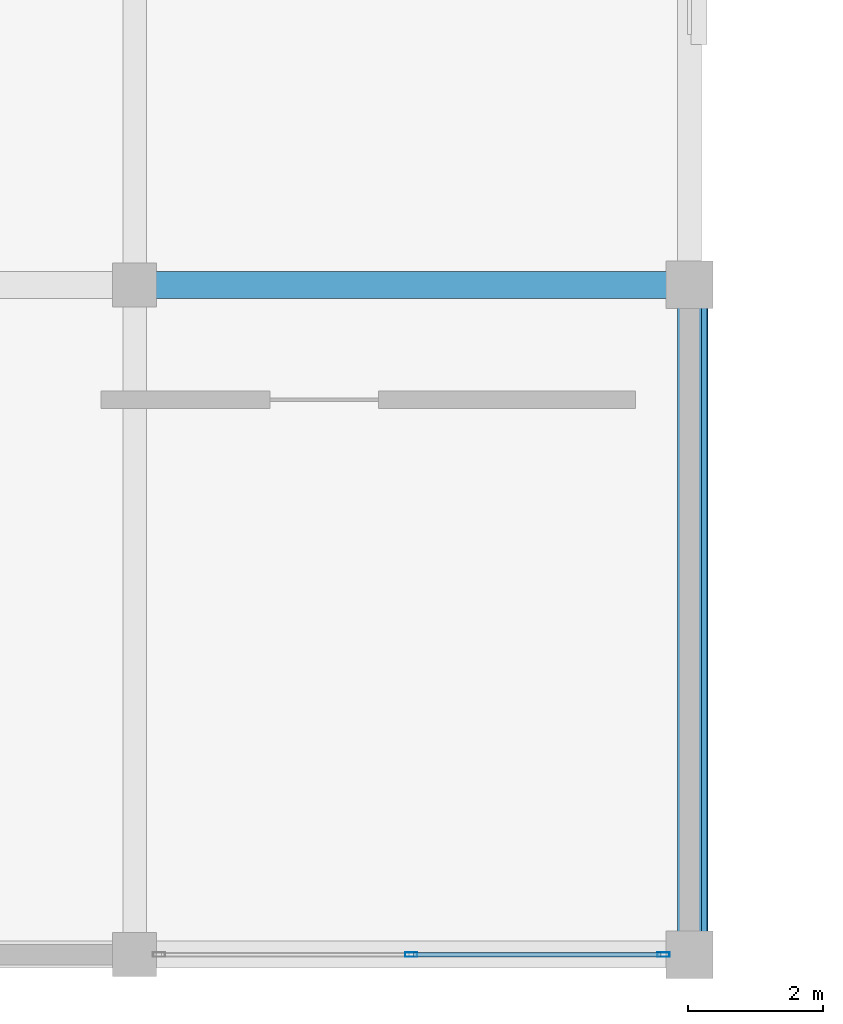
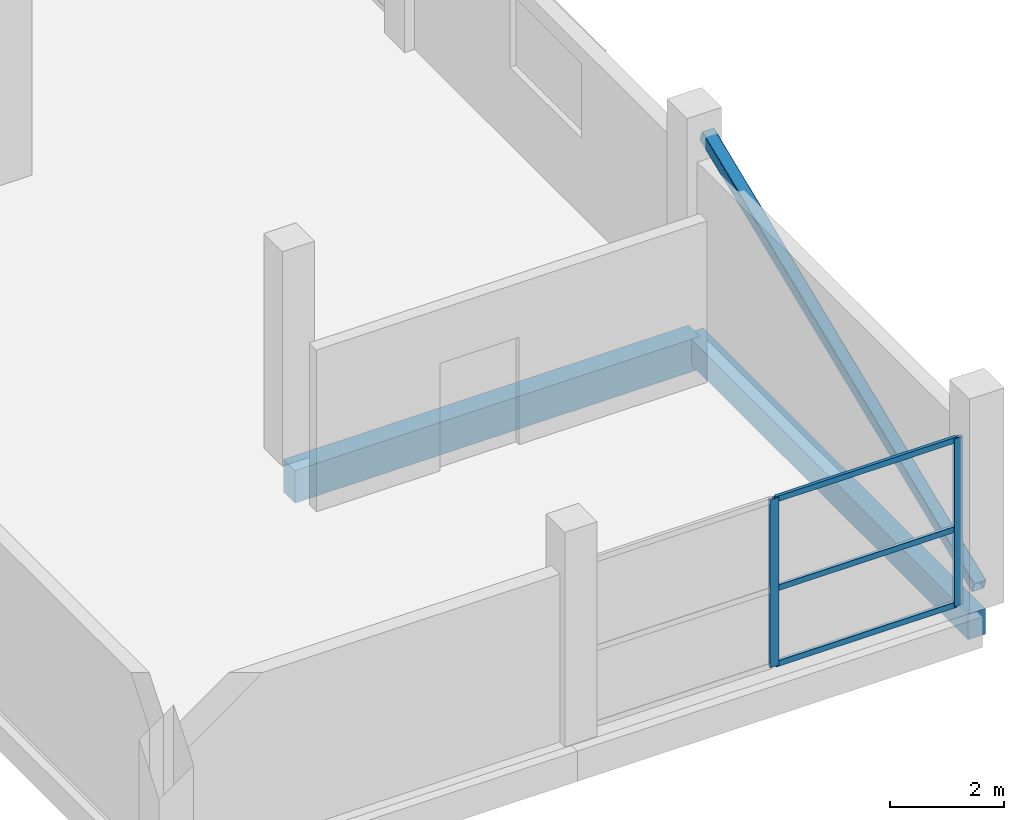
# One storey, part 14 of 69: 6 members, 2 beams, 1 element without a shape of its own.
"""IFC4 building model written with IfcOpenShell, lengths in metres."""

import ifcopenshell
import ifcopenshell.guid

model = None  # the IFC model being written
_history = None  # IfcOwnerHistory: only IFC2X3 demands one
_inside = {}  # id of a spatial element -> (the spatial element, [elements in it])
_under = {}  # id of a project, library or spatial element -> (it, [spatial elements below it])
_declared = {}  # id of a project -> (the project, [libraries it declares])
_typed = {}  # id of a type object -> (the type object, [elements of that type])
_made_of = {}  # id of a material, layer set ... -> (it, [elements and type objects made of it])


def new_model(schema):
    """Start an empty IFC model of exactly this schema.

    Asked for "IFC4X3", IfcOpenShell would pick the latest addendum, in which some entities
    have other attributes; the version numbers below select the first issue.
    IFC2X3 requires an IfcOwnerHistory on every rooted entity: one is made here for all.
    """
    global model, _history
    if schema == "IFC4X3":
        model = ifcopenshell.file(schema_version=(4, 3, 0, 0))
    else:
        model = ifcopenshell.file(schema=schema)
    _inside.clear()
    _under.clear()
    _declared.clear()
    _typed.clear()
    _made_of.clear()
    _history = None
    if model.schema == "IFC2X3":
        org = make("IfcOrganization", Name="unknown")
        user = make(
            "IfcPersonAndOrganization",
            ThePerson=make("IfcPerson", FamilyName="unknown"),
            TheOrganization=org,
        )
        app = make(
            "IfcApplication",
            ApplicationDeveloper=org,
            Version="unknown",
            ApplicationFullName="unknown",
            ApplicationIdentifier="unknown",
        )
        _history = make(
            "IfcOwnerHistory",
            OwningUser=user,
            OwningApplication=app,
            ChangeAction="ADDED",
            CreationDate=0,
        )
    return model


def make(cls, **values):
    """One entity of the class cls with the attributes given. An attribute that is None is left unset."""
    return model.create_entity(
        cls, **{name: value for name, value in values.items() if value is not None}
    )


def rooted(cls, **values):
    """An entity with a GlobalId (a new one), such as an element, a storey or a relation."""
    return make(cls, GlobalId=ifcopenshell.guid.new(), OwnerHistory=_history, **values)


def si_unit(unit_type, name, prefix=None):
    """IfcSIUnit, for example si_unit("LENGTHUNIT", "METRE", prefix="MILLI")."""
    return make("IfcSIUnit", UnitType=unit_type, Prefix=prefix, Name=name)


def assignment(units):
    """IfcUnitAssignment: the units of a project."""
    return None if units is None else make("IfcUnitAssignment", Units=units)


def point(xyz):
    """IfcCartesianPoint."""
    return None if xyz is None else make("IfcCartesianPoint", Coordinates=xyz)


def direction(xyz):
    """IfcDirection."""
    return None if xyz is None else make("IfcDirection", DirectionRatios=xyz)


def frame(location, z_axis=None, x_axis=None):
    """IfcAxis2Placement3D, a coordinate frame: its origin and axes. An axis left out is left unset."""
    return make(
        "IfcAxis2Placement3D",
        Location=point(location),
        Axis=direction(z_axis),
        RefDirection=direction(x_axis),
    )


def frame_2d(location, x_axis=None):
    """IfcAxis2Placement2D, a coordinate frame in the plane: its origin and x axis."""
    return make(
        "IfcAxis2Placement2D", Location=point(location), RefDirection=direction(x_axis)
    )


def origin():
    """The frame at (0, 0, 0) with its axes left unset."""
    return frame((0.0, 0.0, 0.0))


def origin_2d():
    """The frame at (0, 0) in the plane with its x axis left unset."""
    return frame_2d((0.0, 0.0))


def place(relative_to, where):
    """IfcLocalPlacement: puts the frame where relative to a parent placement (None: the world)."""
    return make(
        "IfcLocalPlacement", PlacementRelTo=relative_to, RelativePlacement=where
    )


def context(
    kind, dimensions, precision=None, world=None, true_north=None, identifier=None
):
    """IfcGeometricRepresentationContext, for example the 3D "Model" context."""
    return make(
        "IfcGeometricRepresentationContext",
        ContextIdentifier=identifier,
        ContextType=kind,
        CoordinateSpaceDimension=dimensions,
        Precision=precision,
        WorldCoordinateSystem=world,
        TrueNorth=true_north,
    )


def subcontext(parent, identifier, kind, view, scale=None):
    """IfcGeometricRepresentationSubContext, for example "Body" below "Model"."""
    return make(
        "IfcGeometricRepresentationSubContext",
        ContextIdentifier=identifier,
        ContextType=kind,
        ParentContext=parent,
        TargetScale=scale,
        TargetView=view,
    )


def project(units=None, contexts=None):
    """IfcProject with its units and contexts."""
    return rooted(
        "IfcProject",
        Name="project",
        RepresentationContexts=contexts,
        UnitsInContext=assignment(units),
    )


def spatial(cls, under=None, at=None, **own):
    """A site, building, storey or space (cls), placed at a placement, below another one or the project."""
    s = rooted(cls, ObjectPlacement=at, **own)
    if under is not None:
        _under.setdefault(under.id(), (under, []))[1].append(s)
    return s


def profile(cls, at=None, kind="AREA", **sizes):
    """A parametric profile (cls). Its sizes go by their IFC names, for example OverallWidth=200.0."""
    return make(cls, ProfileType=kind, Position=at, **sizes)


def rectangle(**sizes):
    """IfcRectangleProfileDef."""
    return profile("IfcRectangleProfileDef", **sizes)


def hollow_rectangle(**sizes):
    """IfcRectangleHollowProfileDef."""
    return profile("IfcRectangleHollowProfileDef", **sizes)


def extrude(swept, where, along, depth):
    """IfcExtrudedAreaSolid: the profile swept, set in the frame where, extruded along a direction by depth."""
    return make(
        "IfcExtrudedAreaSolid",
        SweptArea=swept,
        Position=where,
        ExtrudedDirection=direction(along),
        Depth=depth,
    )


def shape(context_of_items, identifier, shape_type, items):
    """IfcShapeRepresentation: the items that make up one representation, for example the "Body"."""
    return make(
        "IfcShapeRepresentation",
        ContextOfItems=context_of_items,
        RepresentationIdentifier=identifier,
        RepresentationType=shape_type,
        Items=items,
    )


def material(Name=None, Category=None):
    """IfcMaterial."""
    return make("IfcMaterial", Name=Name, Category=Category)


def layer(
    of_material, thickness, ventilated=None, Name=None, Category=None, Priority=None
):
    """IfcMaterialLayer: one layer of a wall or slab, of a material (None: an air gap)."""
    return make(
        "IfcMaterialLayer",
        Material=of_material,
        LayerThickness=thickness,
        IsVentilated=ventilated,
        Name=Name,
        Category=Category,
        Priority=Priority,
    )


def layer_set(layers, Name=None):
    """IfcMaterialLayerSet."""
    return make("IfcMaterialLayerSet", MaterialLayers=layers, LayerSetName=Name)


def material_profile(
    of_material, cross_section, Name=None, Category=None, Priority=None
):
    """IfcMaterialProfile: a cross section and its material."""
    return make(
        "IfcMaterialProfile",
        Name=Name,
        Material=of_material,
        Profile=cross_section,
        Priority=Priority,
        Category=Category,
    )


def profile_set(profiles, Name=None, composite=None):
    """IfcMaterialProfileSet."""
    return make(
        "IfcMaterialProfileSet",
        Name=Name,
        MaterialProfiles=profiles,
        CompositeProfile=composite,
    )


def made_of(thing, what):
    """Note that an element or type object is made of a material, layer set ...; save() writes the relation."""
    if what is not None:
        _made_of.setdefault(what.id(), (what, []))[1].append(thing)
    return thing


def type_object(cls, material=None, **own):
    """A type object (cls), such as IfcWallType, which elements share."""
    return made_of(rooted(cls, **own), material)


def element(
    cls,
    number,
    at=None,
    inside=None,
    cuts=None,
    type_object=None,
    material=None,
    context=None,
    identifier="Body",
    shape_type=None,
    held_by="IfcProductDefinitionShape",
    body=None,
    shapes=None,
    **own,
):
    """One element of the class cls, such as IfcWall. Its Tag is "e" and its number.

    at: its placement. inside: the storey or other place that contains it. cuts: it is an
    opening in that element (IfcRelVoidsElement). A single representation is given by context,
    identifier, shape_type and body (its items); several are given by shapes. held_by: the class
    of the entity that holds the representations. save() writes the other relations.
    """
    e = rooted(cls, Tag="e%d" % number, ObjectPlacement=at, **own)
    if body is not None:
        shapes = [shape(context, identifier, shape_type, body)]
    if shapes is not None:
        e.Representation = make(held_by, Representations=shapes)
    if inside is not None:
        _inside.setdefault(inside.id(), (inside, []))[1].append(e)
    if cuts is not None:
        rooted(
            "IfcRelVoidsElement", RelatingBuildingElement=cuts, RelatedOpeningElement=e
        )
    if type_object is not None:
        _typed.setdefault(type_object.id(), (type_object, []))[1].append(e)
    return made_of(e, material)


def aggregate(whole, parts):
    """IfcRelAggregates: a whole, such as a stair, and the parts it consists of."""
    return rooted("IfcRelAggregates", RelatingObject=whole, RelatedObjects=parts)


def save(model, path):
    """Write the relations noted so far, then the file.

    IfcRelAggregates (storeys below a building ...), IfcRelContainedInSpatialStructure (elements
    in a storey), IfcRelDefinesByType, IfcRelAssociatesMaterial and IfcRelDeclares: one each for
    every whole, place, type object, material and project.
    """
    for whole, parts in _under.values():
        aggregate(whole, parts)
    for where, things in _inside.values():
        rooted(
            "IfcRelContainedInSpatialStructure",
            RelatedElements=things,
            RelatingStructure=where,
        )
    for kind, things in _typed.values():
        rooted("IfcRelDefinesByType", RelatedObjects=things, RelatingType=kind)
    for what, things in _made_of.values():
        rooted("IfcRelAssociatesMaterial", RelatedObjects=things, RelatingMaterial=what)
    for by, libraries in _declared.values():
        rooted("IfcRelDeclares", RelatingContext=by, RelatedDefinitions=libraries)
    model.write(path)


model = new_model("IFC4")

# Units and contexts
model_context = context("Model", 3, precision=1e-05, world=origin(), true_north=direction((0.0, 1.0)))
body_context = subcontext(model_context, "Body", "Model", "MODEL_VIEW")
ifc_project = project(units=[si_unit("LENGTHUNIT", "METRE"), si_unit("AREAUNIT", "SQUARE_METRE"), si_unit("VOLUMEUNIT", "CUBIC_METRE"), si_unit("PLANEANGLEUNIT", "RADIAN"), si_unit("MASSUNIT", "GRAM", prefix="KILO")], contexts=[model_context])

# Site, building, storey
site_placement = place(None, origin())
site = spatial("IfcSite", under=ifc_project, at=site_placement, CompositionType="ELEMENT")
building_placement = place(site_placement, origin())
building = spatial("IfcBuilding", under=site, at=building_placement, Name="Sillaruma Civic Art Gallery", CompositionType="ELEMENT")
storey_placement = place(building_placement, frame((0.0, 0.0, 42.330078125)))
storey = spatial("IfcBuildingStorey", under=building, at=storey_placement, Name="L08", CompositionType="ELEMENT", Elevation=42.330078125)

# Beams
ifc_material_1 = material(Name="Concrete H35 (35 MPa)", Category="concrete")
ifc_material_profile_1 = material_profile(ifc_material_1, rectangle(XDim=0.39990234375, YDim=0.699951171875, at=origin_2d()), Name="RCB400x700")
ifc_profile_set_1 = profile_set([ifc_material_profile_1], Name="Concrete H35 (35 MPa)")
beam_type_1 = type_object("IfcBeamType", Name="BM-BEAM-RCB400x700", PredefinedType="BEAM", material=ifc_profile_set_1)
beam_1_placement = place(storey_placement, frame((106.199951171875, 29.699951171875, -0.630126953125), z_axis=(1.0, 0.0, 0.0), x_axis=(0.0, 1.0, 0.0)))
element("IfcBeam", 1, at=beam_1_placement, inside=storey, type_object=beam_type_1, Name="Beam BM-04 (L07:4:M-N)", PredefinedType="BEAM", context=body_context, shape_type="SweptSolid", body=[
    extrude(rectangle(XDim=0.39990234375, YDim=0.699951171875, at=origin_2d()), origin(), (0.0, 0.0, 1.0), 8.199951171875),
])
ifc_material_profile_2 = material_profile(ifc_material_1, rectangle(XDim=0.35009765625, YDim=0.550048828125, at=origin_2d()), Name="RCB350x550")
ifc_profile_set_2 = profile_set([ifc_material_profile_2], Name="Concrete H35 (35 MPa)")
beam_type_2 = type_object("IfcBeamType", Name="BM-SPANDREL-RCB350x550", PredefinedType="SPANDREL", material=ifc_profile_set_2)
beam_2_placement = place(storey_placement, frame((114.39990234375, 19.800048828125, -0.55517578125), z_axis=(0.0, 1.0, 0.0), x_axis=(-1.0, 0.0, 0.0)))
element("IfcBeam", 2, at=beam_2_placement, inside=storey, type_object=beam_type_2, Name="Beam BS-04 (L07:N:3-4)", PredefinedType="SPANDREL", context=body_context, shape_type="SweptSolid", body=[
    extrude(rectangle(XDim=0.35009765625, YDim=0.550048828125, at=origin_2d()), origin(), (0.0, 0.0, 1.0), 9.89990234375),
])

# Member
ifc_material_2 = material(Name="Structural Steel ASTM A500 Gr.C", Category="steel")
ifc_material_profile_3 = material_profile(ifc_material_2, hollow_rectangle(XDim=0.25, YDim=0.25, WallThickness=0.012451171875, InnerFilletRadius=0.012451171875, OuterFilletRadius=0.02490234375, at=origin_2d()), Name="HSS250x250x12.5")
ifc_profile_set_3 = profile_set([ifc_material_profile_3], Name="Structural Steel ASTM A500 Gr.C")
member_type_1 = type_object("IfcMemberType", Name="MEM-MEGA-BRACE", PredefinedType="BRACE", material=ifc_profile_set_3)
member_1_placement = place(storey_placement, frame((114.550048828125, 19.97998046875, 0.099853515625), z_axis=(0.0, 0.925975169428, 0.37758440858), x_axis=(-1.0, 0.0, 0.0)))
element("IfcMember", 3, at=member_1_placement, inside=storey, type_object=member_type_1, Name="Exterior Expressed Gallery Seismic Diagonal Brace (L08-ES)", PredefinedType="BRACE", context=body_context, shape_type="SweptSolid", body=[
    extrude(hollow_rectangle(XDim=0.25, YDim=0.25, WallThickness=0.012451171875, InnerFilletRadius=0.012451171875, OuterFilletRadius=0.02490234375, at=origin_2d()), origin(), (0.0, 0.0, 1.0), 10.302734375),
])

# Curtain wall, members
ifc_material_3 = material(Name="Thermally Broken Extruded Aluminium 6063-T6", Category="aluminium")
ifc_layer = layer(ifc_material_3, 0.179931640625, Name="Thermally Broken Extruded Aluminium 6063-T6")
ifc_layer_set = layer_set([ifc_layer], Name="Thermally Broken Extruded Aluminium 6063-T6")
curtain_wall_type = type_object("IfcCurtainWallType", Name="CW-UNI-59", PredefinedType="NOTDEFINED", material=ifc_layer_set)
curtain_wall_placement = place(storey_placement, origin())
curtain_wall = element("IfcCurtainWall", 4, at=curtain_wall_placement, inside=storey, type_object=curtain_wall_type, Name="Unitised Curtain Wall CW-59 (CW-L08-EBS-2)", PredefinedType="NOTDEFINED")
ifc_material_profile_4 = material_profile(ifc_material_3, hollow_rectangle(XDim=0.070068359375, YDim=0.179931640625, WallThickness=0.00390625, at=origin_2d()), Name="CWM70x180")
ifc_profile_set_4 = profile_set([ifc_material_profile_4], Name="Thermally Broken Extruded Aluminium 6063-T6")
member_type_2 = type_object("IfcMemberType", Name="MEM-MUL-CWM70x180", PredefinedType="MULLION", material=ifc_profile_set_4)
member_2_placement = place(storey_placement, frame((110.28759765625, 19.800048828125, 0.0), z_axis=(0.0, 0.0, 1.0), x_axis=(0.0, 1.0, 0.0)))
member_2 = element("IfcMember", 5, at=member_2_placement, type_object=member_type_2, Name="CW-59 mullion 2", PredefinedType="MULLION", context=body_context, shape_type="SweptSolid", body=[
    extrude(hollow_rectangle(XDim=0.070068359375, YDim=0.179931640625, WallThickness=0.00390625, at=origin_2d()), origin(), (0.0, 0.0, 1.0), 3.58984375),
])
member_3_placement = place(storey_placement, frame((114.014892578125, 19.800048828125, 0.0), z_axis=(0.0, 0.0, 1.0), x_axis=(0.0, 1.0, 0.0)))
member_3 = element("IfcMember", 6, at=member_3_placement, type_object=member_type_2, Name="CW-59 mullion 3", PredefinedType="MULLION", context=body_context, shape_type="SweptSolid", body=[
    extrude(hollow_rectangle(XDim=0.070068359375, YDim=0.179931640625, WallThickness=0.00390625, at=origin_2d()), origin(), (0.0, 0.0, 1.0), 3.58984375),
])
ifc_material_profile_5 = material_profile(ifc_material_3, hollow_rectangle(XDim=0.06494140625, YDim=0.1201171875, WallThickness=0.00341796875, at=origin_2d()), Name="CWT65x120")
ifc_profile_set_5 = profile_set([ifc_material_profile_5], Name="Thermally Broken Extruded Aluminium 6063-T6")
member_type_3 = type_object("IfcMemberType", Name="MEM-TRN-CWT65x120", PredefinedType="USERDEFINED", material=ifc_profile_set_5)
member_4_placement = place(storey_placement, frame((110.322509765625, 19.800048828125, 0.032470703125), z_axis=(1.0, 0.0, 0.0), x_axis=(0.0, 1.0, 0.0)))
member_4 = element("IfcMember", 7, at=member_4_placement, type_object=member_type_3, Name="CW-59 transom 2.1", ObjectType="TRANSOM", PredefinedType="USERDEFINED", context=body_context, shape_type="SweptSolid", body=[
    extrude(hollow_rectangle(XDim=0.06494140625, YDim=0.1201171875, WallThickness=0.00341796875, at=origin_2d()), origin(), (0.0, 0.0, 1.0), 3.657470703125),
])
member_5_placement = place(storey_placement, frame((110.322509765625, 19.800048828125, 1.6513671875), z_axis=(1.0, 0.0, 0.0), x_axis=(0.0, 1.0, 0.0)))
member_5 = element("IfcMember", 8, at=member_5_placement, type_object=member_type_3, Name="CW-59 transom 2.2", ObjectType="TRANSOM", PredefinedType="USERDEFINED", context=body_context, shape_type="SweptSolid", body=[
    extrude(hollow_rectangle(XDim=0.06494140625, YDim=0.1201171875, WallThickness=0.00341796875, at=origin_2d()), origin(), (0.0, 0.0, 1.0), 3.657470703125),
])
member_6_placement = place(storey_placement, frame((110.322509765625, 19.800048828125, 3.557373046875), z_axis=(1.0, 0.0, 0.0), x_axis=(0.0, 1.0, 0.0)))
member_6 = element("IfcMember", 9, at=member_6_placement, type_object=member_type_3, Name="CW-59 transom 2.3", ObjectType="TRANSOM", PredefinedType="USERDEFINED", context=body_context, shape_type="SweptSolid", body=[
    extrude(hollow_rectangle(XDim=0.06494140625, YDim=0.1201171875, WallThickness=0.00341796875, at=origin_2d()), origin(), (0.0, 0.0, 1.0), 3.657470703125),
])
aggregate(curtain_wall, [member_2, member_3, member_4, member_5, member_6])

save(model, "model.ifc")
